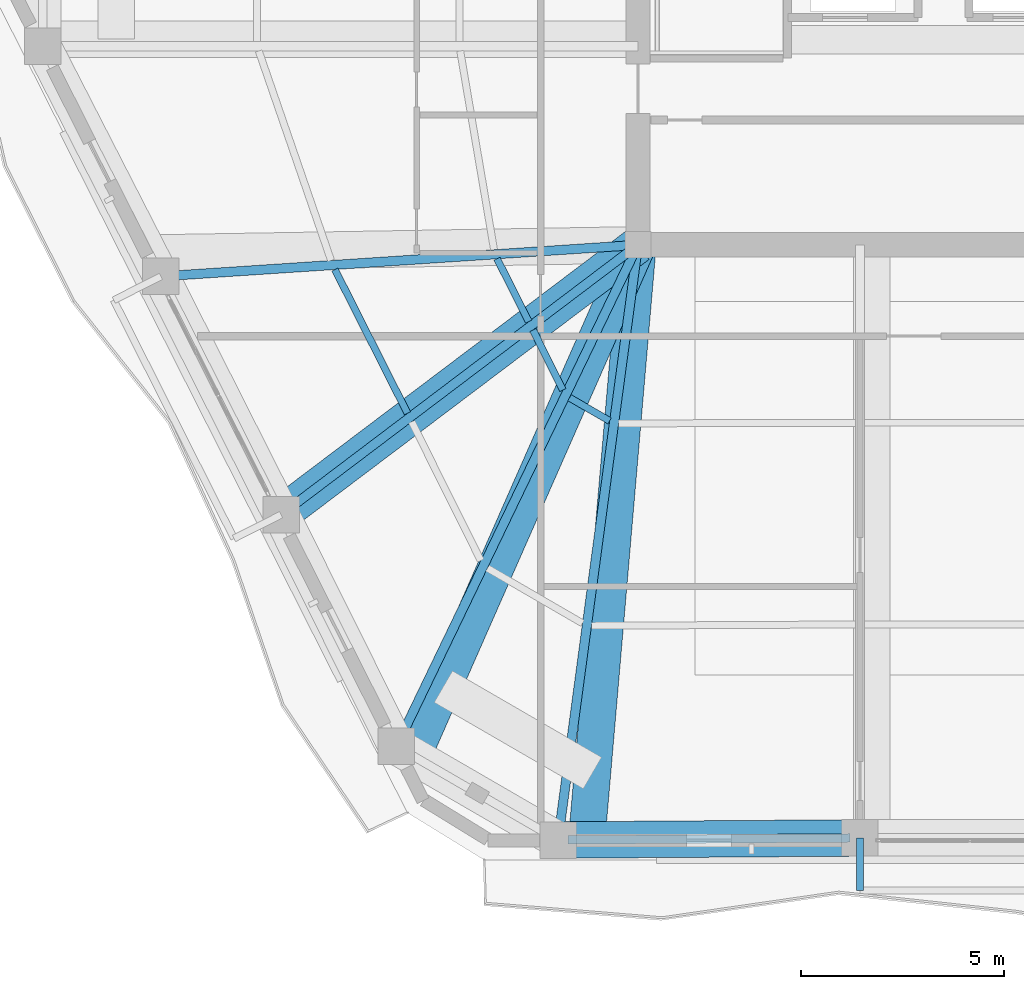
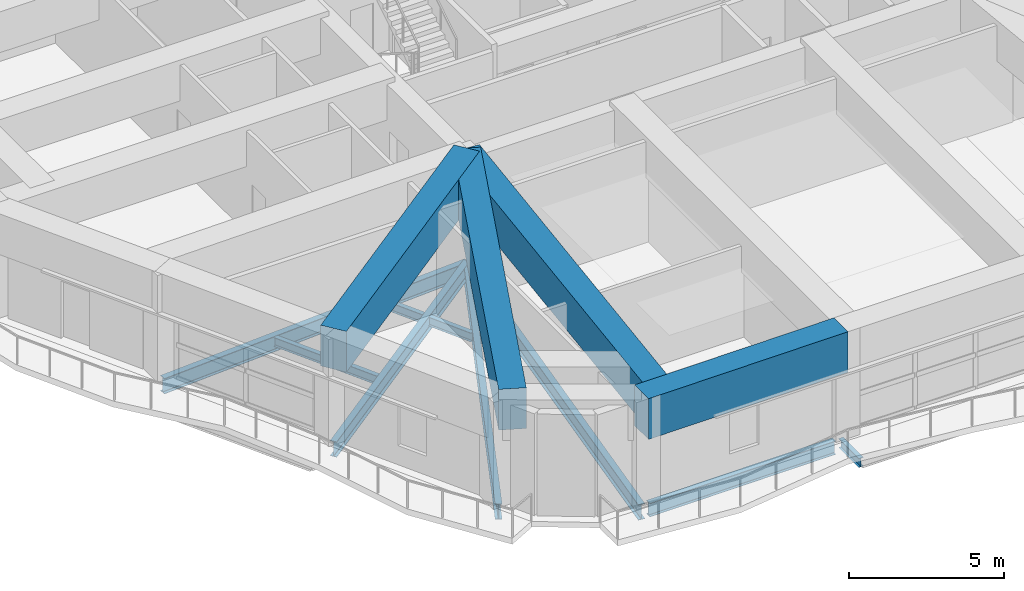
# One storey, part 3 of 20: 14 beams.
"""IFC4 building model written with IfcOpenShell, lengths in metres."""

from ifc_helpers import new_model, si_unit, direction, frame, origin, origin_2d, place, context, subcontext, project, spatial, rectangle, i_section, extrude, material, material_profile, profile_set, type_object, element, save


model = new_model("IFC4")

# Units and contexts
model_context = context("Model", 3, precision=1e-05, world=origin(), true_north=direction((0.0, 1.0)))
body_context = subcontext(model_context, "Body", "Model", "MODEL_VIEW")
ifc_project = project(units=[si_unit("LENGTHUNIT", "METRE"), si_unit("AREAUNIT", "SQUARE_METRE"), si_unit("VOLUMEUNIT", "CUBIC_METRE"), si_unit("PLANEANGLEUNIT", "RADIAN"), si_unit("MASSUNIT", "GRAM", prefix="KILO")], contexts=[model_context])

# Site, building, storey
site_placement = place(None, origin())
site = spatial("IfcSite", under=ifc_project, at=site_placement, CompositionType="ELEMENT")
building_placement = place(site_placement, origin())
building = spatial("IfcBuilding", under=site, at=building_placement, Name="Cinnabar Lancet Tower", CompositionType="ELEMENT")
storey_placement = place(building_placement, frame((0.0, 0.0, 167.699951171875)))
storey = spatial("IfcBuildingStorey", under=building, at=storey_placement, Name="L44", CompositionType="ELEMENT", Elevation=167.699951171875)

# Beams
ifc_material_1 = material(Name="Concrete C70/85", Category="concrete")
ifc_material_profile_1 = material_profile(ifc_material_1, rectangle(XDim=0.89990234375, YDim=1.60009765625, at=origin_2d()), Name="RC-BG 900x1600")
ifc_profile_set_1 = profile_set([ifc_material_profile_1], Name="Concrete C70/85")
beam_type_1 = type_object("IfcBeamType", Name="STR-BM-BG-1600", PredefinedType="BEAM", material=ifc_profile_set_1)
beam_1_placement = place(storey_placement, frame((21.131103515625, 3.93896484375, 3.400146484375), z_axis=(0.999974627917, 0.007123448699, 0.0), x_axis=(-0.007123448699, 0.999974627917, 0.0)))
element("IfcBeam", 1, at=beam_1_placement, inside=storey, type_object=beam_type_1, Name="L45 Setback Outer Ring Girder 1", PredefinedType="BEAM", context=body_context, shape_type="SweptSolid", body=[
    extrude(rectangle(XDim=0.89990234375, YDim=1.60009765625, at=origin_2d()), origin(), (0.0, 0.0, 1.0), 7.437255859375),
])
beam_2_placement = place(storey_placement, frame((21.837890625, 3.950927734375, 3.400146484375), z_axis=(0.085844295811, 0.996308565093, 0.0), x_axis=(-0.996308565093, 0.085844295811, 0.0)))
element("IfcBeam", 2, at=beam_2_placement, inside=storey, type_object=beam_type_1, Name="L45 Setback Continuous Radial Transfer Girder 1", PredefinedType="BEAM", context=body_context, shape_type="SweptSolid", body=[
    extrude(rectangle(XDim=0.89990234375, YDim=1.60009765625, at=origin_2d()), origin(), (0.0, 0.0, 1.0), 14.703369140625),
])
beam_3_placement = place(storey_placement, frame((14.327880859375, 11.97998046875, 3.400146484375), z_axis=(0.798207691859, 0.602382337604, 0.0), x_axis=(-0.602382337604, 0.798207691859, 0.0)))
element("IfcBeam", 3, at=beam_3_placement, inside=storey, type_object=beam_type_1, Name="L45 Setback Continuous Radial Transfer Girder 23", PredefinedType="BEAM", context=body_context, shape_type="SweptSolid", body=[
    extrude(rectangle(XDim=0.89990234375, YDim=1.60009765625, at=origin_2d()), origin(), (0.0, 0.0, 1.0), 10.989990234375),
])
beam_4_placement = place(storey_placement, frame((17.6240234375, 6.173095703125, 3.400146484375), z_axis=(0.403244030338, 0.915092482756, 0.0), x_axis=(-0.915092482756, 0.403244030338, 0.0)))
element("IfcBeam", 4, at=beam_4_placement, inside=storey, type_object=beam_type_1, Name="L45 Setback Continuous Radial Transfer Girder 24", PredefinedType="BEAM", context=body_context, shape_type="SweptSolid", body=[
    extrude(rectangle(XDim=0.89990234375, YDim=1.60009765625, at=origin_2d()), origin(), (0.0, 0.0, 1.0), 13.580078125),
])
ifc_material_2 = material(Name="Structural steel S355", Category="steel")
ifc_material_profile_2 = material_profile(ifc_material_2, i_section(OverallWidth=0.17138671875, OverallDepth=0.35498046875, WebThickness=0.00732421875, FlangeThickness=0.011474609375, FilletRadius=0.01025390625, at=origin_2d()), Name="UKB 356x171x51")
ifc_profile_set_2 = profile_set([ifc_material_profile_2], Name="Structural steel S355")
beam_type_2 = type_object("IfcBeamType", Name="STR-BM-JST-356", PredefinedType="JOIST", material=ifc_profile_set_2)
beam_5_placement = place(storey_placement, frame((15.635009765625, 17.992919921875, -0.387939453125), z_axis=(0.450656035687, -0.892697674187, 0.0), x_axis=(0.892697674187, 0.450656035687, 0.0)))
element("IfcBeam", 5, at=beam_5_placement, inside=storey, type_object=beam_type_2, Name="L44 Secondary Floor Joist 3", PredefinedType="JOIST", context=body_context, shape_type="SweptSolid", body=[
    extrude(i_section(OverallWidth=0.17138671875, OverallDepth=0.35498046875, WebThickness=0.00732421875, FlangeThickness=0.011474609375, FilletRadius=0.01025390625, at=origin_2d()), origin(), (0.0, 0.0, 1.0), 3.9677734375),
])
beam_6_placement = place(storey_placement, frame((19.6298828125, 18.257080078125, -0.387939453125), z_axis=(0.45064755491, -0.892701955444, 0.0), x_axis=(0.892701955444, 0.45064755491, 0.0)))
element("IfcBeam", 6, at=beam_6_placement, inside=storey, type_object=beam_type_2, Name="L44 Secondary Floor Joist 4", PredefinedType="JOIST", context=body_context, shape_type="SweptSolid", body=[
    extrude(i_section(OverallWidth=0.17138671875, OverallDepth=0.35498046875, WebThickness=0.00732421875, FlangeThickness=0.011474609375, FilletRadius=0.01025390625, at=origin_2d()), origin(), (0.0, 0.0, 1.0), 1.733154296875),
])
beam_7_placement = place(storey_placement, frame((20.514892578125, 16.5029296875, -0.387939453125), z_axis=(0.445322008813, -0.895370486708, 0.0), x_axis=(0.895370486708, 0.445322008813, 0.0)))
element("IfcBeam", 7, at=beam_7_placement, inside=storey, type_object=beam_type_2, Name="L44 Secondary Floor Joist 6", PredefinedType="JOIST", context=body_context, shape_type="SweptSolid", body=[
    extrude(i_section(OverallWidth=0.17138671875, OverallDepth=0.35498046875, WebThickness=0.00732421875, FlangeThickness=0.011474609375, FilletRadius=0.01025390625, at=origin_2d()), origin(), (0.0, 0.0, 1.0), 1.65283203125),
])
beam_8_placement = place(storey_placement, frame((21.4140625, 14.8359375, -0.387939453125), z_axis=(0.865426285481, -0.501036270542, 0.0), x_axis=(0.501036270542, 0.865426285481, 0.0)))
element("IfcBeam", 8, at=beam_8_placement, inside=storey, type_object=beam_type_2, Name="L44 Secondary Floor Joist 8", PredefinedType="JOIST", context=body_context, shape_type="SweptSolid", body=[
    extrude(i_section(OverallWidth=0.17138671875, OverallDepth=0.35498046875, WebThickness=0.00732421875, FlangeThickness=0.011474609375, FilletRadius=0.01025390625, at=origin_2d()), origin(), (0.0, 0.0, 1.0), 1.1416015625),
])
ifc_material_3 = material(Name="Structural steel S355", Category="steel")
ifc_material_profile_3 = material_profile(ifc_material_3, i_section(OverallWidth=0.209228515625, OverallDepth=0.533203125, WebThickness=0.010009765625, FlangeThickness=0.015625, FilletRadius=0.0126953125, at=origin_2d()), Name="UKB 533x210x92")
ifc_profile_set_3 = profile_set([ifc_material_profile_3], Name="Structural steel S355")
beam_type_3 = type_object("IfcBeamType", Name="STR-BM-SPN-533", PredefinedType="SPANDREL", material=ifc_profile_set_3)
beam_9_placement = place(storey_placement, frame((21.381103515625, 3.94091796875, -0.47705078125), z_axis=(0.999974980359, 0.007073800628, 0.0), x_axis=(-0.007073800628, 0.999974980359, 0.0)))
element("IfcBeam", 9, at=beam_9_placement, inside=storey, type_object=beam_type_3, Name="L44 Perimeter Spandrel 1", PredefinedType="SPANDREL", context=body_context, shape_type="SweptSolid", body=[
    extrude(i_section(OverallWidth=0.209228515625, OverallDepth=0.533203125, WebThickness=0.010009765625, FlangeThickness=0.015625, FilletRadius=0.0126953125, at=origin_2d()), origin(), (0.0, 0.0, 1.0), 6.937255859375),
])
ifc_material_4 = material(Name="Structural steel S355", Category="steel")
ifc_material_profile_4 = material_profile(ifc_material_4, i_section(OverallWidth=0.228271484375, OverallDepth=0.607666015625, WebThickness=0.010986328125, FlangeThickness=0.017333984375, FilletRadius=0.0126953125, at=origin_2d()), Name="UKB 610x229x113")
ifc_profile_set_4 = profile_set([ifc_material_profile_4], Name="Structural steel S355")
beam_type_4 = type_object("IfcBeamType", Name="STR-BM-UKB610-113", PredefinedType="BEAM", material=ifc_profile_set_4)
beam_10_placement = place(storey_placement, frame((14.31103515625, 11.955078125, -0.513916015625), z_axis=(0.797675450227, 0.603086955675, 0.0), x_axis=(-0.603086955675, 0.797675450227, 0.0)))
element("IfcBeam", 10, at=beam_10_placement, inside=storey, type_object=beam_type_4, Name="L44 Corner Collector Girder 1", PredefinedType="BEAM", context=body_context, shape_type="SweptSolid", body=[
    extrude(i_section(OverallWidth=0.228271484375, OverallDepth=0.607666015625, WebThickness=0.010986328125, FlangeThickness=0.017333984375, FilletRadius=0.0126953125, at=origin_2d()), origin(), (0.0, 0.0, 1.0), 11.018310546875),
])
beam_11_placement = place(storey_placement, frame((21.131103515625, 3.93896484375, -0.513916015625), z_axis=(0.133105256814, 0.991101907277, 0.0), x_axis=(-0.991101907277, 0.133105256814, 0.0)))
element("IfcBeam", 11, at=beam_11_placement, inside=storey, type_object=beam_type_4, Name="L44 Primary Floor Girder 1", PredefinedType="BEAM", context=body_context, shape_type="SweptSolid", body=[
    extrude(i_section(OverallWidth=0.228271484375, OverallDepth=0.607666015625, WebThickness=0.010986328125, FlangeThickness=0.017333984375, FilletRadius=0.0126953125, at=origin_2d()), origin(), (0.0, 0.0, 1.0), 14.792724609375),
])
beam_12_placement = place(storey_placement, frame((11.347900390625, 17.823974609375, -0.513916015625), z_axis=(0.997826421842, 0.065897131002, 0.0), x_axis=(-0.065897131002, 0.997826421842, 0.0)))
element("IfcBeam", 12, at=beam_12_placement, inside=storey, type_object=beam_type_4, Name="L44 Primary Floor Girder 22", PredefinedType="BEAM", context=body_context, shape_type="SweptSolid", body=[
    extrude(i_section(OverallWidth=0.228271484375, OverallDepth=0.607666015625, WebThickness=0.010986328125, FlangeThickness=0.017333984375, FilletRadius=0.0126953125, at=origin_2d()), origin(), (0.0, 0.0, 1.0), 11.77783203125),
])
beam_13_placement = place(storey_placement, frame((17.15087890625, 6.24609375, -0.513916015625), z_axis=(0.433874505515, 0.900973314513, 0.0), x_axis=(-0.900973314513, 0.433874505515, 0.0)))
element("IfcBeam", 13, at=beam_13_placement, inside=storey, type_object=beam_type_4, Name="L44 Primary Floor Girder 24", PredefinedType="BEAM", context=body_context, shape_type="SweptSolid", body=[
    extrude(i_section(OverallWidth=0.228271484375, OverallDepth=0.607666015625, WebThickness=0.010986328125, FlangeThickness=0.017333984375, FilletRadius=0.0126953125, at=origin_2d()), origin(), (0.0, 0.0, 1.0), 13.7119140625),
])
ifc_material_5 = material(Name="Structural steel S355", Category="steel")
ifc_material_profile_5 = material_profile(ifc_material_5, i_section(OverallWidth=0.17138671875, OverallDepth=0.35498046875, WebThickness=0.00732421875, FlangeThickness=0.011474609375, FilletRadius=0.01025390625, at=origin_2d()), Name="UKB 356x171x51")
ifc_profile_set_5 = profile_set([ifc_material_profile_5], Name="Structural steel S355")
beam_type_5 = type_object("IfcBeamType", Name="STR-BM-WAV-OUT", PredefinedType="BEAM", material=ifc_profile_set_5)
beam_14_placement = place(storey_placement, frame((28.568115234375, 3.991943359375, -0.41796875), z_axis=(0.0, -1.0, 0.0), x_axis=(1.0, 0.0, 0.0)))
element("IfcBeam", 14, at=beam_14_placement, inside=storey, type_object=beam_type_5, Name="L44 Face 1 Balcony Outlooker A", PredefinedType="BEAM", context=body_context, shape_type="SweptSolid", body=[
    extrude(i_section(OverallWidth=0.17138671875, OverallDepth=0.35498046875, WebThickness=0.00732421875, FlangeThickness=0.011474609375, FilletRadius=0.01025390625, at=origin_2d()), origin(), (0.0, 0.0, 1.0), 1.300048828125),
])

save(model, "model.ifc")
